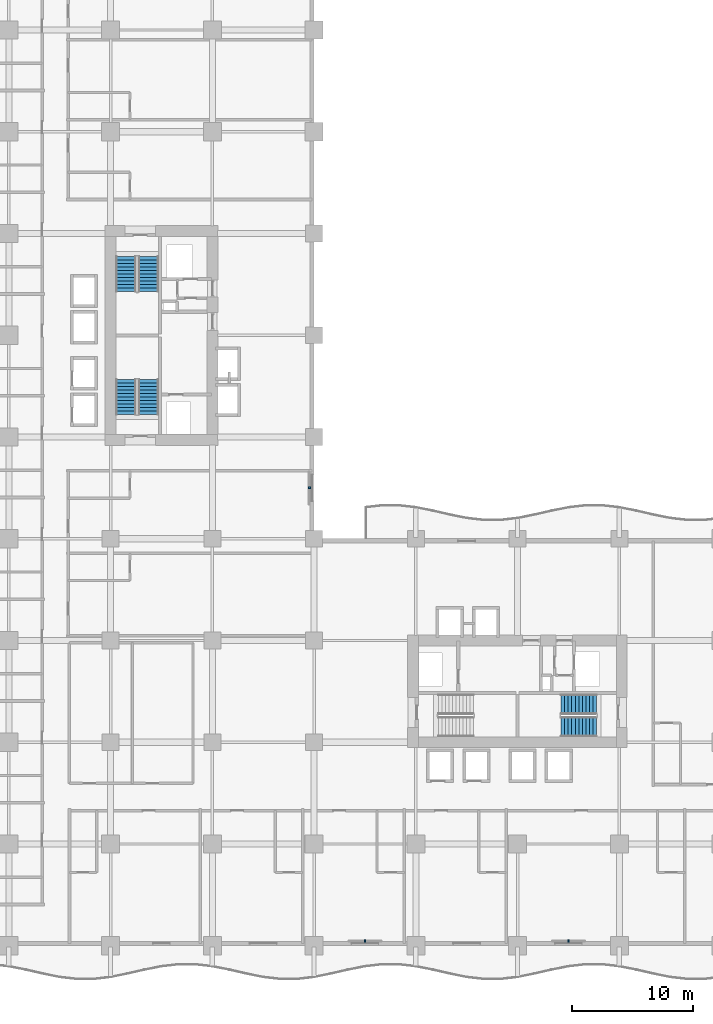
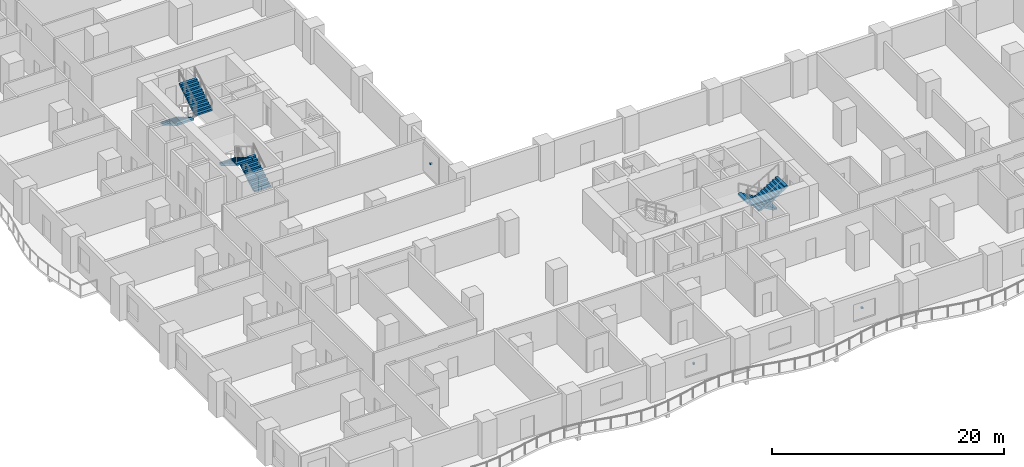
# One storey, part 15 of 20: 6 stair flights, 3 discrete accessories, 3 elements without a shape of their own.
"""IFC4 building model written with IfcOpenShell, lengths in metres."""

from ifc_helpers import new_model, si_unit, direction, frame, origin, origin_2d, place, context, subcontext, project, spatial, polyline, rectangle, outline, extrude, material, type_object, element, aggregate, save


model = new_model("IFC4")

# Units and contexts
model_context = context("Model", 3, precision=1e-05, world=origin(), true_north=direction((0.0, 1.0)))
body_context = subcontext(model_context, "Body", "Model", "MODEL_VIEW")
ifc_project = project(units=[si_unit("LENGTHUNIT", "METRE"), si_unit("AREAUNIT", "SQUARE_METRE"), si_unit("VOLUMEUNIT", "CUBIC_METRE"), si_unit("PLANEANGLEUNIT", "RADIAN"), si_unit("MASSUNIT", "GRAM", prefix="KILO")], contexts=[model_context])

# Site, building, storey
site_placement = place(None, origin())
site = spatial("IfcSite", under=ifc_project, at=site_placement, CompositionType="ELEMENT")
building_placement = place(site_placement, origin())
building = spatial("IfcBuilding", under=site, at=building_placement, Name="Koriwani Terraces Tower", CompositionType="ELEMENT")
storey_placement = place(building_placement, frame((0.0, 0.0, 35.800048828125)))
storey = spatial("IfcBuildingStorey", under=building, at=storey_placement, Name="L07", CompositionType="ELEMENT", Elevation=35.800048828125)

# Stair, stair flights
ifc_material_1 = material(Name="Concrete C40/50", Category="concrete")
stair_type = type_object("IfcStairType", Name="STAIR_CORE_DOGLEG_1650", PredefinedType="TWO_STRAIGHT_RUN_STAIR", material=ifc_material_1)
stair_1_placement = place(storey_placement, origin())
stair_1 = element("IfcStair", 1, at=stair_1_placement, inside=storey, type_object=stair_type, Name="L07 West Core Exit Stair 1", PredefinedType="HALF_TURN_STAIR")
stair_flight_type = type_object("IfcStairFlightType", Name="STAIR_FLIGHT_RC_1650", PredefinedType="STRAIGHT", material=ifc_material_1)
stair_flight_1_placement = place(storey_placement, frame((19.925048828125, 43.85009765625, 0.0), z_axis=(0.0, 0.0, 1.0), x_axis=(0.0, 1.0, 0.0)))
stair_flight_1 = element("IfcStairFlight", 2, at=stair_flight_1_placement, type_object=stair_flight_type, Name="ST-W1 flight 1", NumberOfRisers=11, NumberOfTreads=10, PredefinedType="STRAIGHT", RiserHeight=0.172727273, TreadLength=0.29, context=body_context, shape_type="SweptSolid", body=[
    extrude(outline(polyline([(0.0, 0.0), (0.0, 0.172607421875), (0.2900390625, 0.172607421875), (0.2900390625, 0.345458984375), (0.580078125, 0.345458984375), (0.580078125, 0.51806640625), (0.8701171875, 0.51806640625), (0.8701171875, 0.69091796875), (1.159912109375, 0.69091796875), (1.159912109375, 0.863525390625), (1.449951171875, 0.863525390625), (1.449951171875, 1.036376953125), (1.739990234375, 1.036376953125), (1.739990234375, 1.208984375), (2.030029296875, 1.208984375), (2.030029296875, 1.3818359375), (2.320068359375, 1.3818359375), (2.320068359375, 1.554443359375), (2.610107421875, 1.554443359375), (2.610107421875, 1.727294921875), (2.89990234375, 1.727294921875), (2.89990234375, 1.89990234375), (2.89990234375, 1.517822265625), (0.3515625, 0.0), (0.0, 0.0)])), frame((0.0, 0.824951171875, 0.0), z_axis=(0.0, -1.0, 0.0), x_axis=(1.0, 0.0, 0.0)), (0.0, 0.0, 1.0), 1.64990234375),
])
stair_flight_2_placement = place(storey_placement, frame((18.074951171875, 46.75, 1.89990234375), z_axis=(0.0, 0.0, 1.0), x_axis=(0.0, -1.0, 0.0)))
stair_flight_2 = element("IfcStairFlight", 3, at=stair_flight_2_placement, type_object=stair_flight_type, Name="ST-W1 flight 2", NumberOfRisers=11, NumberOfTreads=10, PredefinedType="STRAIGHT", RiserHeight=0.172727273, TreadLength=0.29, context=body_context, shape_type="SweptSolid", body=[
    extrude(outline(polyline([(0.0, 0.0), (0.0, 0.172607421875), (0.2900390625, 0.172607421875), (0.2900390625, 0.345458984375), (0.580078125, 0.345458984375), (0.580078125, 0.51806640625), (0.8701171875, 0.51806640625), (0.8701171875, 0.69091796875), (1.159912109375, 0.69091796875), (1.159912109375, 0.863525390625), (1.449951171875, 0.863525390625), (1.449951171875, 1.036376953125), (1.739990234375, 1.036376953125), (1.739990234375, 1.208984375), (2.030029296875, 1.208984375), (2.030029296875, 1.3818359375), (2.320068359375, 1.3818359375), (2.320068359375, 1.554443359375), (2.610107421875, 1.554443359375), (2.610107421875, 1.727294921875), (2.89990234375, 1.727294921875), (2.89990234375, 1.89990234375), (2.89990234375, 1.517822265625), (0.3515625, 0.0), (0.0, 0.0)])), frame((0.0, 0.824951171875, 0.0), z_axis=(0.0, -1.0, 0.0), x_axis=(1.0, 0.0, 0.0)), (0.0, 0.0, 1.0), 1.64990234375),
])
aggregate(stair_1, [stair_flight_1, stair_flight_2])

stair_2_placement = place(storey_placement, origin())
stair_2 = element("IfcStair", 4, at=stair_2_placement, inside=storey, type_object=stair_type, Name="L07 West Core Exit Stair 2", PredefinedType="HALF_TURN_STAIR")
stair_flight_3_placement = place(storey_placement, frame((18.074951171875, 56.89990234375, 0.0), z_axis=(0.0, 0.0, 1.0), x_axis=(0.0, -1.0, 0.0)))
stair_flight_3 = element("IfcStairFlight", 5, at=stair_flight_3_placement, type_object=stair_flight_type, Name="ST-W2 flight 1", NumberOfRisers=11, NumberOfTreads=10, PredefinedType="STRAIGHT", RiserHeight=0.172727273, TreadLength=0.29, context=body_context, shape_type="SweptSolid", body=[
    extrude(outline(polyline([(0.0, 0.0), (0.0, 0.172607421875), (0.2900390625, 0.172607421875), (0.2900390625, 0.345458984375), (0.580078125, 0.345458984375), (0.580078125, 0.51806640625), (0.8701171875, 0.51806640625), (0.8701171875, 0.69091796875), (1.159912109375, 0.69091796875), (1.159912109375, 0.863525390625), (1.449951171875, 0.863525390625), (1.449951171875, 1.036376953125), (1.739990234375, 1.036376953125), (1.739990234375, 1.208984375), (2.030029296875, 1.208984375), (2.030029296875, 1.3818359375), (2.320068359375, 1.3818359375), (2.320068359375, 1.554443359375), (2.610107421875, 1.554443359375), (2.610107421875, 1.727294921875), (2.89990234375, 1.727294921875), (2.89990234375, 1.89990234375), (2.89990234375, 1.517822265625), (0.3515625, 0.0), (0.0, 0.0)])), frame((0.0, 0.824951171875, 0.0), z_axis=(0.0, -1.0, 0.0), x_axis=(1.0, 0.0, 0.0)), (0.0, 0.0, 1.0), 1.64990234375),
])
stair_flight_4_placement = place(storey_placement, frame((19.925048828125, 54.0, 1.89990234375), z_axis=(0.0, 0.0, 1.0), x_axis=(0.0, 1.0, 0.0)))
stair_flight_4 = element("IfcStairFlight", 6, at=stair_flight_4_placement, type_object=stair_flight_type, Name="ST-W2 flight 2", NumberOfRisers=11, NumberOfTreads=10, PredefinedType="STRAIGHT", RiserHeight=0.172727273, TreadLength=0.29, context=body_context, shape_type="SweptSolid", body=[
    extrude(outline(polyline([(0.0, 0.0), (0.0, 0.172607421875), (0.2900390625, 0.172607421875), (0.2900390625, 0.345458984375), (0.580078125, 0.345458984375), (0.580078125, 0.51806640625), (0.8701171875, 0.51806640625), (0.8701171875, 0.69091796875), (1.159912109375, 0.69091796875), (1.159912109375, 0.863525390625), (1.449951171875, 0.863525390625), (1.449951171875, 1.036376953125), (1.739990234375, 1.036376953125), (1.739990234375, 1.208984375), (2.030029296875, 1.208984375), (2.030029296875, 1.3818359375), (2.320068359375, 1.3818359375), (2.320068359375, 1.554443359375), (2.610107421875, 1.554443359375), (2.610107421875, 1.727294921875), (2.89990234375, 1.727294921875), (2.89990234375, 1.89990234375), (2.89990234375, 1.517822265625), (0.3515625, 0.0), (0.0, 0.0)])), frame((0.0, 0.824951171875, 0.0), z_axis=(0.0, -1.0, 0.0), x_axis=(1.0, 0.0, 0.0)), (0.0, 0.0, 1.0), 1.64990234375),
])
aggregate(stair_2, [stair_flight_3, stair_flight_4])

stair_3_placement = place(storey_placement, origin())
stair_3 = element("IfcStair", 7, at=stair_3_placement, inside=storey, type_object=stair_type, Name="L07 East Core Exit Stair 2", PredefinedType="HALF_TURN_STAIR")
stair_flight_5_placement = place(storey_placement, frame((56.89990234375, 19.925048828125, 0.0), z_axis=(0.0, 0.0, 1.0), x_axis=(-1.0, 0.0, 0.0)))
stair_flight_5 = element("IfcStairFlight", 8, at=stair_flight_5_placement, type_object=stair_flight_type, Name="ST-E2 flight 1", NumberOfRisers=11, NumberOfTreads=10, PredefinedType="STRAIGHT", RiserHeight=0.172727273, TreadLength=0.29, context=body_context, shape_type="SweptSolid", body=[
    extrude(outline(polyline([(0.0, 0.0), (0.0, 0.172607421875), (0.2900390625, 0.172607421875), (0.2900390625, 0.345458984375), (0.580078125, 0.345458984375), (0.580078125, 0.51806640625), (0.8701171875, 0.51806640625), (0.8701171875, 0.69091796875), (1.159912109375, 0.69091796875), (1.159912109375, 0.863525390625), (1.449951171875, 0.863525390625), (1.449951171875, 1.036376953125), (1.739990234375, 1.036376953125), (1.739990234375, 1.208984375), (2.030029296875, 1.208984375), (2.030029296875, 1.3818359375), (2.320068359375, 1.3818359375), (2.320068359375, 1.554443359375), (2.610107421875, 1.554443359375), (2.610107421875, 1.727294921875), (2.89990234375, 1.727294921875), (2.89990234375, 1.89990234375), (2.89990234375, 1.517822265625), (0.3515625, 0.0), (0.0, 0.0)])), frame((0.0, 0.824951171875, 0.0), z_axis=(0.0, -1.0, 0.0), x_axis=(1.0, 0.0, 0.0)), (0.0, 0.0, 1.0), 1.64990234375),
])
stair_flight_6_placement = place(storey_placement, frame((54.0, 18.074951171875, 1.89990234375), z_axis=(0.0, 0.0, 1.0), x_axis=(1.0, 0.0, 0.0)))
stair_flight_6 = element("IfcStairFlight", 9, at=stair_flight_6_placement, type_object=stair_flight_type, Name="ST-E2 flight 2", NumberOfRisers=11, NumberOfTreads=10, PredefinedType="STRAIGHT", RiserHeight=0.172727273, TreadLength=0.29, context=body_context, shape_type="SweptSolid", body=[
    extrude(outline(polyline([(0.0, 0.0), (0.0, 0.172607421875), (0.2900390625, 0.172607421875), (0.2900390625, 0.345458984375), (0.580078125, 0.345458984375), (0.580078125, 0.51806640625), (0.8701171875, 0.51806640625), (0.8701171875, 0.69091796875), (1.159912109375, 0.69091796875), (1.159912109375, 0.863525390625), (1.449951171875, 0.863525390625), (1.449951171875, 1.036376953125), (1.739990234375, 1.036376953125), (1.739990234375, 1.208984375), (2.030029296875, 1.208984375), (2.030029296875, 1.3818359375), (2.320068359375, 1.3818359375), (2.320068359375, 1.554443359375), (2.610107421875, 1.554443359375), (2.610107421875, 1.727294921875), (2.89990234375, 1.727294921875), (2.89990234375, 1.89990234375), (2.89990234375, 1.517822265625), (0.3515625, 0.0), (0.0, 0.0)])), frame((0.0, 0.824951171875, 0.0), z_axis=(0.0, -1.0, 0.0), x_axis=(1.0, 0.0, 0.0)), (0.0, 0.0, 1.0), 1.64990234375),
])
aggregate(stair_3, [stair_flight_5, stair_flight_6])

# Discrete accessories
ifc_material_2 = material(Name="Steel ASTM A572 Grade 50", Category="steel")
discrete_accessory_type = type_object("IfcDiscreteAccessoryType", Name="BAGUETTE_STANDOFF_BRACKET", PredefinedType="BRACKET", material=ifc_material_2)
for number, where, z_axis, x_axis, name in (
    (10, (33.2099609375, 37.800048828125, 1.68505859375), (0.0, 0.0, 1.0), (0.0, -1.0, 0.0), "L07 Terracotta Baguette Bracket (NW_IN-2)"),
    (11, (37.800048828125, 0.389892578125, 1.68505859375), (0.0, 0.0, 1.0), (-1.0, 0.0, 0.0), "L07 Terracotta Baguette Bracket (S-12)"),
    (12, (54.60009765625, 0.389892578125, 1.68505859375), (0.0, 0.0, 1.0), (-1.0, 0.0, 0.0), "L07 Terracotta Baguette Bracket (S-18)"),
):
    element("IfcDiscreteAccessory", number, at=place(storey_placement, frame(where, z_axis=z_axis, x_axis=x_axis)), inside=storey, type_object=discrete_accessory_type, Name=name, PredefinedType="BRACKET", context=body_context, shape_type="SweptSolid", body=[
        extrude(rectangle(XDim=0.159912109375, YDim=0.199951171875, at=origin_2d()), origin(), (0.0, 0.0, 1.0), 0.179931640625),
    ])

save(model, "model.ifc")
